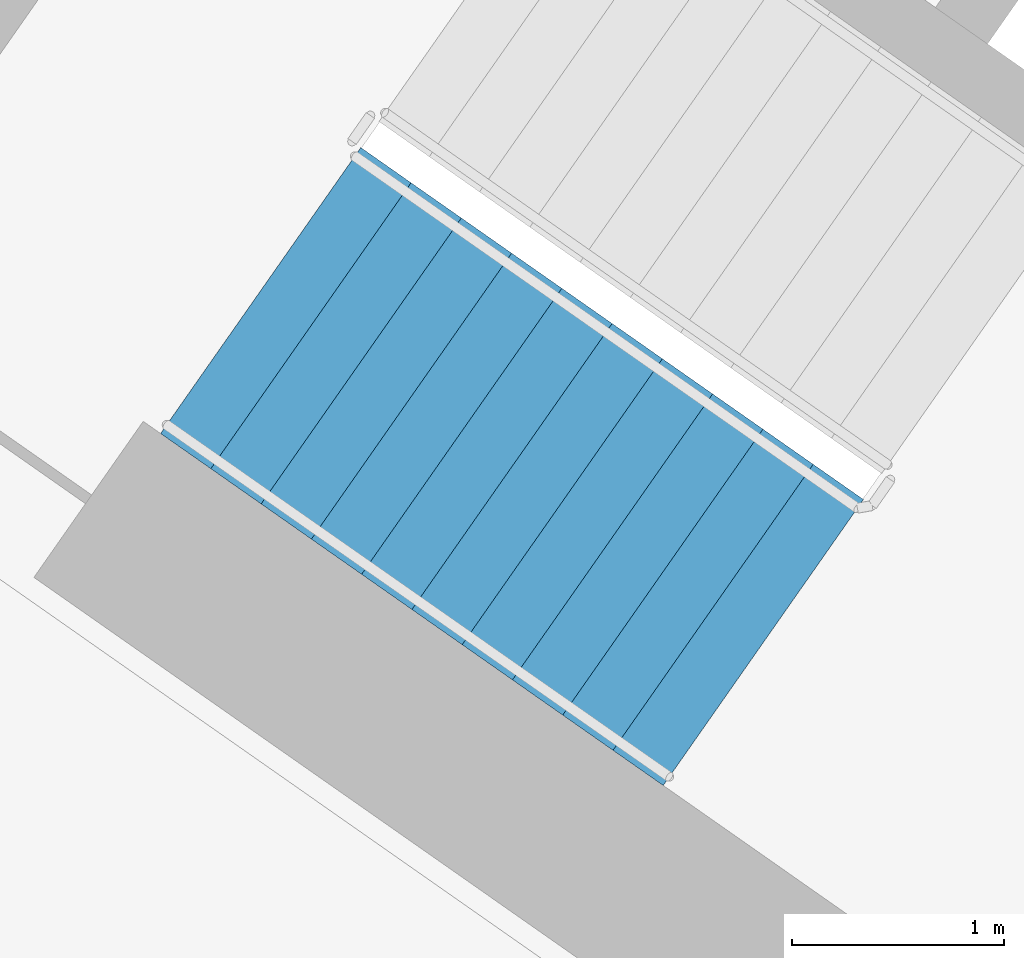
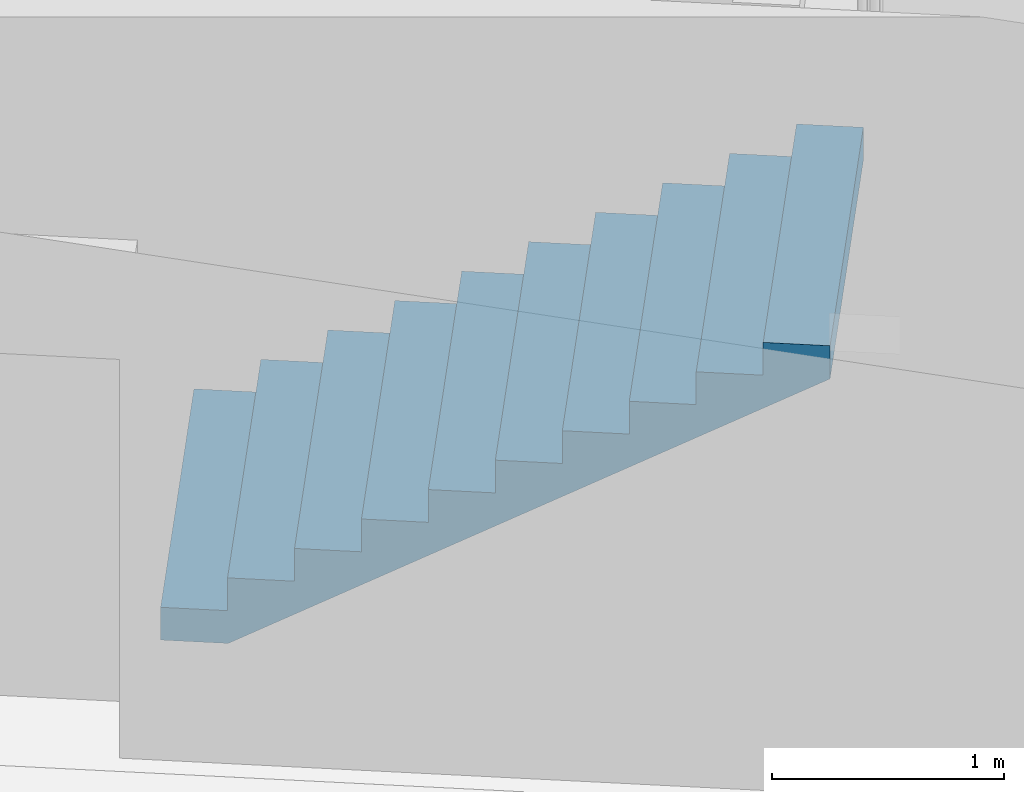
# One storey, part 10 of 30: 1 stair flight, 1 element without a shape of its own.
"""IFC4 building model written with IfcOpenShell, lengths in metres."""

from ifc_helpers import new_model, si_unit, direction, frame, origin, place, context, subcontext, project, spatial, faceted_brep, material, type_object, element, aggregate, save


model = new_model("IFC4")

# Units and contexts
model_context = context("Model", 3, precision=1e-05, world=origin(), true_north=direction((0.0, 1.0)))
body_context = subcontext(model_context, "Body", "Model", "MODEL_VIEW")
ifc_project = project(units=[si_unit("LENGTHUNIT", "METRE"), si_unit("AREAUNIT", "SQUARE_METRE"), si_unit("VOLUMEUNIT", "CUBIC_METRE"), si_unit("PLANEANGLEUNIT", "RADIAN"), si_unit("MASSUNIT", "GRAM", prefix="KILO")], contexts=[model_context])

# Site, building, storey
site_placement = place(None, origin())
site = spatial("IfcSite", under=ifc_project, at=site_placement, CompositionType="ELEMENT")
building_placement = place(site_placement, origin())
building = spatial("IfcBuilding", under=site, at=building_placement, Name="Qamariyya Broadcast Tower", CompositionType="ELEMENT")
storey_placement = place(building_placement, frame((0.0, 0.0, 102.5)))
storey = spatial("IfcBuildingStorey", under=building, at=storey_placement, Name="L22", CompositionType="ELEMENT", Elevation=102.5)

# Stair, stair flight
ifc_material = material(Name="Concrete C50/60", Category="concrete")
stair_type = type_object("IfcStairType", Name="Exit stair 22 risers of 173 mm", PredefinedType="HALF_TURN_STAIR", material=ifc_material)
stair_placement = place(storey_placement, origin())
stair = element("IfcStair", 1, at=stair_placement, inside=storey, type_object=stair_type, Name="L22 Stair W1", PredefinedType="HALF_TURN_STAIR")
stair_flight_type = type_object("IfcStairFlightType", Name="Exit stair flight 11 risers of 173 mm", PredefinedType="STRAIGHT", material=ifc_material)
stair_flight_placement = place(storey_placement, frame((-47.06884765625, -56.982666015625, 0.0), z_axis=(0.0, 0.0, 1.0), x_axis=(0.819152044289, -0.573576436351, 0.0)))
stair_flight = element("IfcStairFlight", 2, at=stair_flight_placement, type_object=stair_flight_type, Name="ST-W1 flight 1", NumberOfRisers=11, NumberOfTreads=10, PredefinedType="STRAIGHT", RiserHeight=0.172727273, TreadLength=0.29, context=body_context, shape_type="Brep", body=[
    faceted_brep([(0.0, 0.824951171875, 0.0), (0.0, 0.824951171875, 0.172607421875), (0.2900390625, 0.824951171875, 0.172607421875), (0.2900390625, 0.824951171875, 0.345458984375), (0.580078125, 0.824951171875, 0.345458984375), (0.580078125, 0.824951171875, 0.51806640625), (0.8701171875, 0.824951171875, 0.51806640625), (0.8701171875, 0.824951171875, 0.69091796875), (1.159912109375, 0.824951171875, 0.69091796875), (1.159912109375, 0.824951171875, 0.863525390625), (1.449951171875, 0.824951171875, 0.863525390625), (1.449951171875, 0.824951171875, 1.036376953125), (1.739990234375, 0.824951171875, 1.036376953125), (1.739990234375, 0.824951171875, 1.208984375), (2.030029296875, 0.824951171875, 1.208984375), (2.030029296875, 0.824951171875, 1.3818359375), (2.320068359375, 0.824951171875, 1.3818359375), (2.320068359375, 0.824951171875, 1.554443359375), (2.610107421875, 0.824951171875, 1.554443359375), (2.610107421875, 0.824951171875, 1.727294921875), (2.89990234375, 0.824951171875, 1.727294921875), (2.89990234375, 0.824951171875, 1.552734375), (0.29296875, 0.824951171875, 0.0), (0.29296875, -0.824951171875, 0.0), (2.89990234375, -0.824951171875, 1.552734375), (2.89990234375, -0.824951171875, 1.727294921875), (2.610107421875, -0.824951171875, 1.727294921875), (2.610107421875, -0.824951171875, 1.554443359375), (2.320068359375, -0.824951171875, 1.554443359375), (2.320068359375, -0.824951171875, 1.3818359375), (2.030029296875, -0.824951171875, 1.3818359375), (2.030029296875, -0.824951171875, 1.208984375), (1.739990234375, -0.824951171875, 1.208984375), (1.739990234375, -0.824951171875, 1.036376953125), (1.449951171875, -0.824951171875, 1.036376953125), (1.449951171875, -0.824951171875, 0.863525390625), (1.159912109375, -0.824951171875, 0.863525390625), (1.159912109375, -0.824951171875, 0.69091796875), (0.8701171875, -0.824951171875, 0.69091796875), (0.8701171875, -0.824951171875, 0.51806640625), (0.580078125, -0.824951171875, 0.51806640625), (0.580078125, -0.824951171875, 0.345458984375), (0.2900390625, -0.824951171875, 0.345458984375), (0.2900390625, -0.824951171875, 0.172607421875), (0.0, -0.824951171875, 0.172607421875), (0.0, -0.824951171875, 0.0), (0.0, 0.10009765625, 0.0), (0.0, 0.086669921875, 0.0), (0.0, 0.0732421875, 0.0), (0.0, 0.06005859375, 0.0), (0.0, 0.046630859375, 0.0), (0.0, 0.033447265625, 0.0), (0.0, 0.02001953125, 0.0), (0.0, 0.006591796875, 0.0), (0.0, -0.006591796875, 0.0), (0.0, -0.02001953125, 0.0), (0.0, -0.033447265625, 0.0), (0.0, -0.046630859375, 0.0), (0.0, -0.06005859375, 0.0), (0.0, -0.0732421875, 0.0), (0.0, -0.086669921875, 0.0), (0.0, -0.10009765625, 0.0), (0.0, -0.10009765625, 0.172607421875), (0.0, -0.086669921875, 0.172607421875), (0.0, -0.0732421875, 0.172607421875), (0.0, -0.06005859375, 0.172607421875), (0.0, -0.046630859375, 0.172607421875), (0.0, -0.033447265625, 0.172607421875), (0.0, -0.02001953125, 0.172607421875), (0.0, -0.006591796875, 0.172607421875), (0.0, 0.006591796875, 0.172607421875), (0.0, 0.02001953125, 0.172607421875), (0.0, 0.033447265625, 0.172607421875), (0.0, 0.046630859375, 0.172607421875), (0.0, 0.06005859375, 0.172607421875), (0.0, 0.0732421875, 0.172607421875), (0.0, 0.086669921875, 0.172607421875), (0.0, 0.10009765625, 0.172607421875), (0.2900390625, -0.10009765625, 0.172607421875), (0.2900390625, -0.086669921875, 0.172607421875), (0.2900390625, -0.0732421875, 0.172607421875), (0.2900390625, -0.06005859375, 0.172607421875), (0.2900390625, -0.046630859375, 0.172607421875), (0.2900390625, -0.033447265625, 0.172607421875), (0.2900390625, -0.02001953125, 0.172607421875), (0.2900390625, -0.006591796875, 0.172607421875), (0.2900390625, 0.006591796875, 0.172607421875), (0.2900390625, 0.02001953125, 0.172607421875), (0.2900390625, 0.033447265625, 0.172607421875), (0.2900390625, 0.046630859375, 0.172607421875), (0.2900390625, 0.06005859375, 0.172607421875), (0.2900390625, 0.0732421875, 0.172607421875), (0.2900390625, 0.086669921875, 0.172607421875), (0.2900390625, 0.10009765625, 0.172607421875), (0.2900390625, -0.10009765625, 0.345458984375), (0.2900390625, -0.086669921875, 0.345458984375), (0.2900390625, -0.0732421875, 0.345458984375), (0.2900390625, -0.06005859375, 0.345458984375), (0.2900390625, -0.046630859375, 0.345458984375), (0.2900390625, -0.033447265625, 0.345458984375), (0.2900390625, -0.02001953125, 0.345458984375), (0.2900390625, -0.006591796875, 0.345458984375), (0.2900390625, 0.006591796875, 0.345458984375), (0.2900390625, 0.02001953125, 0.345458984375), (0.2900390625, 0.033447265625, 0.345458984375), (0.2900390625, 0.046630859375, 0.345458984375), (0.2900390625, 0.06005859375, 0.345458984375), (0.2900390625, 0.0732421875, 0.345458984375), (0.2900390625, 0.086669921875, 0.345458984375), (0.2900390625, 0.10009765625, 0.345458984375), (0.580078125, -0.10009765625, 0.345458984375), (0.580078125, -0.086669921875, 0.345458984375), (0.580078125, -0.0732421875, 0.345458984375), (0.580078125, -0.06005859375, 0.345458984375), (0.580078125, -0.046630859375, 0.345458984375), (0.580078125, -0.033447265625, 0.345458984375), (0.580078125, -0.02001953125, 0.345458984375), (0.580078125, -0.006591796875, 0.345458984375), (0.580078125, 0.006591796875, 0.345458984375), (0.580078125, 0.02001953125, 0.345458984375), (0.580078125, 0.033447265625, 0.345458984375), (0.580078125, 0.046630859375, 0.345458984375), (0.580078125, 0.06005859375, 0.345458984375), (0.580078125, 0.0732421875, 0.345458984375), (0.580078125, 0.086669921875, 0.345458984375), (0.580078125, 0.10009765625, 0.345458984375), (0.580078125, -0.10009765625, 0.51806640625), (0.580078125, -0.086669921875, 0.51806640625), (0.580078125, -0.0732421875, 0.51806640625), (0.580078125, -0.06005859375, 0.51806640625), (0.580078125, -0.046630859375, 0.51806640625), (0.580078125, -0.033447265625, 0.51806640625), (0.580078125, -0.02001953125, 0.51806640625), (0.580078125, -0.006591796875, 0.51806640625), (0.580078125, 0.006591796875, 0.51806640625), (0.580078125, 0.02001953125, 0.51806640625), (0.580078125, 0.033447265625, 0.51806640625), (0.580078125, 0.046630859375, 0.51806640625), (0.580078125, 0.06005859375, 0.51806640625), (0.580078125, 0.0732421875, 0.51806640625), (0.580078125, 0.086669921875, 0.51806640625), (0.580078125, 0.10009765625, 0.51806640625), (0.8701171875, -0.10009765625, 0.51806640625), (0.8701171875, -0.086669921875, 0.51806640625), (0.8701171875, -0.0732421875, 0.51806640625), (0.8701171875, -0.06005859375, 0.51806640625), (0.8701171875, -0.046630859375, 0.51806640625), (0.8701171875, -0.033447265625, 0.51806640625), (0.8701171875, -0.02001953125, 0.51806640625), (0.8701171875, -0.006591796875, 0.51806640625), (0.8701171875, 0.006591796875, 0.51806640625), (0.8701171875, 0.02001953125, 0.51806640625), (0.8701171875, 0.033447265625, 0.51806640625), (0.8701171875, 0.046630859375, 0.51806640625), (0.8701171875, 0.06005859375, 0.51806640625), (0.8701171875, 0.0732421875, 0.51806640625), (0.8701171875, 0.086669921875, 0.51806640625), (0.8701171875, 0.10009765625, 0.51806640625), (0.8701171875, -0.10009765625, 0.69091796875), (0.8701171875, -0.086669921875, 0.69091796875), (0.8701171875, -0.0732421875, 0.69091796875), (0.8701171875, -0.06005859375, 0.69091796875), (0.8701171875, -0.046630859375, 0.69091796875), (0.8701171875, -0.033447265625, 0.69091796875), (0.8701171875, -0.02001953125, 0.69091796875), (0.8701171875, -0.006591796875, 0.69091796875), (0.8701171875, 0.006591796875, 0.69091796875), (0.8701171875, 0.02001953125, 0.69091796875), (0.8701171875, 0.033447265625, 0.69091796875), (0.8701171875, 0.046630859375, 0.69091796875), (0.8701171875, 0.06005859375, 0.69091796875), (0.8701171875, 0.0732421875, 0.69091796875), (0.8701171875, 0.086669921875, 0.69091796875), (0.8701171875, 0.10009765625, 0.69091796875), (1.159912109375, -0.10009765625, 0.69091796875), (1.159912109375, -0.086669921875, 0.69091796875), (1.159912109375, -0.0732421875, 0.69091796875), (1.159912109375, -0.06005859375, 0.69091796875), (1.159912109375, -0.046630859375, 0.69091796875), (1.159912109375, -0.033447265625, 0.69091796875), (1.159912109375, -0.02001953125, 0.69091796875), (1.159912109375, -0.006591796875, 0.69091796875), (1.159912109375, 0.006591796875, 0.69091796875), (1.159912109375, 0.02001953125, 0.69091796875), (1.159912109375, 0.033447265625, 0.69091796875), (1.159912109375, 0.046630859375, 0.69091796875), (1.159912109375, 0.06005859375, 0.69091796875), (1.159912109375, 0.0732421875, 0.69091796875), (1.159912109375, 0.086669921875, 0.69091796875), (1.159912109375, 0.10009765625, 0.69091796875), (1.159912109375, -0.10009765625, 0.863525390625), (1.159912109375, -0.086669921875, 0.863525390625), (1.159912109375, -0.0732421875, 0.863525390625), (1.159912109375, -0.06005859375, 0.863525390625), (1.159912109375, -0.046630859375, 0.863525390625), (1.159912109375, -0.033447265625, 0.863525390625), (1.159912109375, -0.02001953125, 0.863525390625), (1.159912109375, -0.006591796875, 0.863525390625), (1.159912109375, 0.006591796875, 0.863525390625), (1.159912109375, 0.02001953125, 0.863525390625), (1.159912109375, 0.033447265625, 0.863525390625), (1.159912109375, 0.046630859375, 0.863525390625), (1.159912109375, 0.06005859375, 0.863525390625), (1.159912109375, 0.0732421875, 0.863525390625), (1.159912109375, 0.086669921875, 0.863525390625), (1.159912109375, 0.10009765625, 0.863525390625), (1.449951171875, -0.10009765625, 0.863525390625), (1.449951171875, -0.086669921875, 0.863525390625), (1.449951171875, -0.0732421875, 0.863525390625), (1.449951171875, -0.06005859375, 0.863525390625), (1.449951171875, -0.046630859375, 0.863525390625), (1.449951171875, -0.033447265625, 0.863525390625), (1.449951171875, -0.02001953125, 0.863525390625), (1.449951171875, -0.006591796875, 0.863525390625), (1.449951171875, 0.006591796875, 0.863525390625), (1.449951171875, 0.02001953125, 0.863525390625), (1.449951171875, 0.033447265625, 0.863525390625), (1.449951171875, 0.046630859375, 0.863525390625), (1.449951171875, 0.06005859375, 0.863525390625), (1.449951171875, 0.0732421875, 0.863525390625), (1.449951171875, 0.086669921875, 0.863525390625), (1.449951171875, 0.10009765625, 0.863525390625), (1.449951171875, -0.10009765625, 1.036376953125), (1.449951171875, -0.086669921875, 1.036376953125), (1.449951171875, -0.0732421875, 1.036376953125), (1.449951171875, -0.06005859375, 1.036376953125), (1.449951171875, -0.046630859375, 1.036376953125), (1.449951171875, -0.033447265625, 1.036376953125), (1.449951171875, -0.02001953125, 1.036376953125), (1.449951171875, -0.006591796875, 1.036376953125), (1.449951171875, 0.006591796875, 1.036376953125), (1.449951171875, 0.02001953125, 1.036376953125), (1.449951171875, 0.033447265625, 1.036376953125), (1.449951171875, 0.046630859375, 1.036376953125), (1.449951171875, 0.06005859375, 1.036376953125), (1.449951171875, 0.0732421875, 1.036376953125), (1.449951171875, 0.086669921875, 1.036376953125), (1.449951171875, 0.10009765625, 1.036376953125), (1.739990234375, -0.10009765625, 1.036376953125), (1.739990234375, -0.086669921875, 1.036376953125), (1.739990234375, -0.0732421875, 1.036376953125), (1.739990234375, -0.06005859375, 1.036376953125), (1.739990234375, -0.046630859375, 1.036376953125), (1.739990234375, -0.033447265625, 1.036376953125), (1.739990234375, -0.02001953125, 1.036376953125), (1.739990234375, -0.006591796875, 1.036376953125), (1.739990234375, 0.006591796875, 1.036376953125), (1.739990234375, 0.02001953125, 1.036376953125), (1.739990234375, 0.033447265625, 1.036376953125), (1.739990234375, 0.046630859375, 1.036376953125), (1.739990234375, 0.06005859375, 1.036376953125), (1.739990234375, 0.0732421875, 1.036376953125), (1.739990234375, 0.086669921875, 1.036376953125), (1.739990234375, 0.10009765625, 1.036376953125), (1.739990234375, -0.10009765625, 1.208984375), (1.739990234375, -0.086669921875, 1.208984375), (1.739990234375, -0.0732421875, 1.208984375), (1.739990234375, -0.06005859375, 1.208984375), (1.739990234375, -0.046630859375, 1.208984375), (1.739990234375, -0.033447265625, 1.208984375), (1.739990234375, -0.02001953125, 1.208984375), (1.739990234375, -0.006591796875, 1.208984375), (1.739990234375, 0.006591796875, 1.208984375), (1.739990234375, 0.02001953125, 1.208984375), (1.739990234375, 0.033447265625, 1.208984375), (1.739990234375, 0.046630859375, 1.208984375), (1.739990234375, 0.06005859375, 1.208984375), (1.739990234375, 0.0732421875, 1.208984375), (1.739990234375, 0.086669921875, 1.208984375), (1.739990234375, 0.10009765625, 1.208984375), (2.030029296875, -0.10009765625, 1.208984375), (2.030029296875, -0.086669921875, 1.208984375), (2.030029296875, -0.0732421875, 1.208984375), (2.030029296875, -0.06005859375, 1.208984375), (2.030029296875, -0.046630859375, 1.208984375), (2.030029296875, -0.033447265625, 1.208984375), (2.030029296875, -0.02001953125, 1.208984375), (2.030029296875, -0.006591796875, 1.208984375), (2.030029296875, 0.006591796875, 1.208984375), (2.030029296875, 0.02001953125, 1.208984375), (2.030029296875, 0.033447265625, 1.208984375), (2.030029296875, 0.046630859375, 1.208984375), (2.030029296875, 0.06005859375, 1.208984375), (2.030029296875, 0.0732421875, 1.208984375), (2.030029296875, 0.086669921875, 1.208984375), (2.030029296875, 0.10009765625, 1.208984375), (2.030029296875, -0.10009765625, 1.3818359375), (2.030029296875, -0.086669921875, 1.3818359375), (2.030029296875, -0.0732421875, 1.3818359375), (2.030029296875, -0.06005859375, 1.3818359375), (2.030029296875, -0.046630859375, 1.3818359375), (2.030029296875, -0.033447265625, 1.3818359375), (2.030029296875, -0.02001953125, 1.3818359375), (2.030029296875, -0.006591796875, 1.3818359375), (2.030029296875, 0.006591796875, 1.3818359375), (2.030029296875, 0.02001953125, 1.3818359375), (2.030029296875, 0.033447265625, 1.3818359375), (2.030029296875, 0.046630859375, 1.3818359375), (2.030029296875, 0.06005859375, 1.3818359375), (2.030029296875, 0.0732421875, 1.3818359375), (2.030029296875, 0.086669921875, 1.3818359375), (2.030029296875, 0.10009765625, 1.3818359375), (2.320068359375, -0.10009765625, 1.3818359375), (2.320068359375, -0.086669921875, 1.3818359375), (2.320068359375, -0.0732421875, 1.3818359375), (2.320068359375, -0.06005859375, 1.3818359375), (2.320068359375, -0.046630859375, 1.3818359375), (2.320068359375, -0.033447265625, 1.3818359375), (2.320068359375, -0.02001953125, 1.3818359375), (2.320068359375, -0.006591796875, 1.3818359375), (2.320068359375, 0.006591796875, 1.3818359375), (2.320068359375, 0.02001953125, 1.3818359375), (2.320068359375, 0.033447265625, 1.3818359375), (2.320068359375, 0.046630859375, 1.3818359375), (2.320068359375, 0.06005859375, 1.3818359375), (2.320068359375, 0.0732421875, 1.3818359375), (2.320068359375, 0.086669921875, 1.3818359375), (2.320068359375, 0.10009765625, 1.3818359375), (2.320068359375, -0.10009765625, 1.554443359375), (2.320068359375, -0.086669921875, 1.554443359375), (2.320068359375, -0.0732421875, 1.554443359375), (2.320068359375, -0.06005859375, 1.554443359375), (2.320068359375, -0.046630859375, 1.554443359375), (2.320068359375, -0.033447265625, 1.554443359375), (2.320068359375, -0.02001953125, 1.554443359375), (2.320068359375, -0.006591796875, 1.554443359375), (2.320068359375, 0.006591796875, 1.554443359375), (2.320068359375, 0.02001953125, 1.554443359375), (2.320068359375, 0.033447265625, 1.554443359375), (2.320068359375, 0.046630859375, 1.554443359375), (2.320068359375, 0.06005859375, 1.554443359375), (2.320068359375, 0.0732421875, 1.554443359375), (2.320068359375, 0.086669921875, 1.554443359375), (2.320068359375, 0.10009765625, 1.554443359375), (2.610107421875, -0.10009765625, 1.554443359375), (2.610107421875, -0.086669921875, 1.554443359375), (2.610107421875, -0.0732421875, 1.554443359375), (2.610107421875, -0.06005859375, 1.554443359375), (2.610107421875, -0.046630859375, 1.554443359375), (2.610107421875, -0.033447265625, 1.554443359375), (2.610107421875, -0.02001953125, 1.554443359375), (2.610107421875, -0.006591796875, 1.554443359375), (2.610107421875, 0.006591796875, 1.554443359375), (2.610107421875, 0.02001953125, 1.554443359375), (2.610107421875, 0.033447265625, 1.554443359375), (2.610107421875, 0.046630859375, 1.554443359375), (2.610107421875, 0.06005859375, 1.554443359375), (2.610107421875, 0.0732421875, 1.554443359375), (2.610107421875, 0.086669921875, 1.554443359375), (2.610107421875, 0.10009765625, 1.554443359375), (2.610107421875, -0.10009765625, 1.727294921875), (2.610107421875, -0.086669921875, 1.727294921875), (2.610107421875, -0.0732421875, 1.727294921875), (2.610107421875, -0.06005859375, 1.727294921875), (2.610107421875, -0.046630859375, 1.727294921875), (2.610107421875, -0.033447265625, 1.727294921875), (2.610107421875, -0.02001953125, 1.727294921875), (2.610107421875, -0.006591796875, 1.727294921875), (2.610107421875, 0.006591796875, 1.727294921875), (2.610107421875, 0.02001953125, 1.727294921875), (2.610107421875, 0.033447265625, 1.727294921875), (2.610107421875, 0.046630859375, 1.727294921875), (2.610107421875, 0.06005859375, 1.727294921875), (2.610107421875, 0.0732421875, 1.727294921875), (2.610107421875, 0.086669921875, 1.727294921875), (2.610107421875, 0.10009765625, 1.727294921875), (2.89990234375, -0.10009765625, 1.727294921875), (2.89990234375, -0.086669921875, 1.727294921875), (2.89990234375, -0.0732421875, 1.727294921875), (2.89990234375, -0.06005859375, 1.727294921875), (2.89990234375, -0.046630859375, 1.727294921875), (2.89990234375, -0.033447265625, 1.727294921875), (2.89990234375, -0.02001953125, 1.727294921875), (2.89990234375, -0.006591796875, 1.727294921875), (2.89990234375, 0.006591796875, 1.727294921875), (2.89990234375, 0.02001953125, 1.727294921875), (2.89990234375, 0.033447265625, 1.727294921875), (2.89990234375, 0.046630859375, 1.727294921875), (2.89990234375, 0.06005859375, 1.727294921875), (2.89990234375, 0.0732421875, 1.727294921875), (2.89990234375, 0.086669921875, 1.727294921875), (2.89990234375, 0.10009765625, 1.727294921875), (2.89990234375, -0.10009765625, 1.552734375), (2.89990234375, -0.086669921875, 1.552734375), (2.89990234375, -0.0732421875, 1.552734375), (2.89990234375, -0.06005859375, 1.552734375), (2.89990234375, -0.046630859375, 1.552734375), (2.89990234375, -0.033447265625, 1.552734375), (2.89990234375, -0.02001953125, 1.552734375), (2.89990234375, -0.006591796875, 1.552734375), (2.89990234375, 0.006591796875, 1.552734375), (2.89990234375, 0.02001953125, 1.552734375), (2.89990234375, 0.033447265625, 1.552734375), (2.89990234375, 0.046630859375, 1.552734375), (2.89990234375, 0.06005859375, 1.552734375), (2.89990234375, 0.0732421875, 1.552734375), (2.89990234375, 0.086669921875, 1.552734375), (2.89990234375, 0.10009765625, 1.552734375), (0.29296875, -0.10009765625, 0.0), (0.29296875, -0.086669921875, 0.0), (0.29296875, -0.0732421875, 0.0), (0.29296875, -0.06005859375, 0.0), (0.29296875, -0.046630859375, 0.0), (0.29296875, -0.033447265625, 0.0), (0.29296875, -0.02001953125, 0.0), (0.29296875, -0.006591796875, 0.0), (0.29296875, 0.006591796875, 0.0), (0.29296875, 0.02001953125, 0.0), (0.29296875, 0.033447265625, 0.0), (0.29296875, 0.046630859375, 0.0), (0.29296875, 0.06005859375, 0.0), (0.29296875, 0.0732421875, 0.0), (0.29296875, 0.086669921875, 0.0), (0.29296875, 0.10009765625, 0.0)], [[[0, 1, 2, 3, 4, 5, 6, 7, 8, 9, 10, 11, 12, 13, 14, 15, 16, 17, 18, 19, 20, 21, 22]], [[23, 24, 25, 26, 27, 28, 29, 30, 31, 32, 33, 34, 35, 36, 37, 38, 39, 40, 41, 42, 43, 44, 45]], [[0, 46, 47, 48, 49, 50, 51, 52, 53, 54, 55, 56, 57, 58, 59, 60, 61, 45, 44, 62, 63, 64, 65, 66, 67, 68, 69, 70, 71, 72, 73, 74, 75, 76, 77, 1]], [[1, 77, 76, 75, 74, 73, 72, 71, 70, 69, 68, 67, 66, 65, 64, 63, 62, 44, 43, 78, 79, 80, 81, 82, 83, 84, 85, 86, 87, 88, 89, 90, 91, 92, 93, 2]], [[2, 93, 92, 91, 90, 89, 88, 87, 86, 85, 84, 83, 82, 81, 80, 79, 78, 43, 42, 94, 95, 96, 97, 98, 99, 100, 101, 102, 103, 104, 105, 106, 107, 108, 109, 3]], [[3, 109, 108, 107, 106, 105, 104, 103, 102, 101, 100, 99, 98, 97, 96, 95, 94, 42, 41, 110, 111, 112, 113, 114, 115, 116, 117, 118, 119, 120, 121, 122, 123, 124, 125, 4]], [[4, 125, 124, 123, 122, 121, 120, 119, 118, 117, 116, 115, 114, 113, 112, 111, 110, 41, 40, 126, 127, 128, 129, 130, 131, 132, 133, 134, 135, 136, 137, 138, 139, 140, 141, 5]], [[5, 141, 140, 139, 138, 137, 136, 135, 134, 133, 132, 131, 130, 129, 128, 127, 126, 40, 39, 142, 143, 144, 145, 146, 147, 148, 149, 150, 151, 152, 153, 154, 155, 156, 157, 6]], [[6, 157, 156, 155, 154, 153, 152, 151, 150, 149, 148, 147, 146, 145, 144, 143, 142, 39, 38, 158, 159, 160, 161, 162, 163, 164, 165, 166, 167, 168, 169, 170, 171, 172, 173, 7]], [[7, 173, 172, 171, 170, 169, 168, 167, 166, 165, 164, 163, 162, 161, 160, 159, 158, 38, 37, 174, 175, 176, 177, 178, 179, 180, 181, 182, 183, 184, 185, 186, 187, 188, 189, 8]], [[8, 189, 188, 187, 186, 185, 184, 183, 182, 181, 180, 179, 178, 177, 176, 175, 174, 37, 36, 190, 191, 192, 193, 194, 195, 196, 197, 198, 199, 200, 201, 202, 203, 204, 205, 9]], [[9, 205, 204, 203, 202, 201, 200, 199, 198, 197, 196, 195, 194, 193, 192, 191, 190, 36, 35, 206, 207, 208, 209, 210, 211, 212, 213, 214, 215, 216, 217, 218, 219, 220, 221, 10]], [[10, 221, 220, 219, 218, 217, 216, 215, 214, 213, 212, 211, 210, 209, 208, 207, 206, 35, 34, 222, 223, 224, 225, 226, 227, 228, 229, 230, 231, 232, 233, 234, 235, 236, 237, 11]], [[11, 237, 236, 235, 234, 233, 232, 231, 230, 229, 228, 227, 226, 225, 224, 223, 222, 34, 33, 238, 239, 240, 241, 242, 243, 244, 245, 246, 247, 248, 249, 250, 251, 252, 253, 12]], [[12, 253, 252, 251, 250, 249, 248, 247, 246, 245, 244, 243, 242, 241, 240, 239, 238, 33, 32, 254, 255, 256, 257, 258, 259, 260, 261, 262, 263, 264, 265, 266, 267, 268, 269, 13]], [[13, 269, 268, 267, 266, 265, 264, 263, 262, 261, 260, 259, 258, 257, 256, 255, 254, 32, 31, 270, 271, 272, 273, 274, 275, 276, 277, 278, 279, 280, 281, 282, 283, 284, 285, 14]], [[14, 285, 284, 283, 282, 281, 280, 279, 278, 277, 276, 275, 274, 273, 272, 271, 270, 31, 30, 286, 287, 288, 289, 290, 291, 292, 293, 294, 295, 296, 297, 298, 299, 300, 301, 15]], [[15, 301, 300, 299, 298, 297, 296, 295, 294, 293, 292, 291, 290, 289, 288, 287, 286, 30, 29, 302, 303, 304, 305, 306, 307, 308, 309, 310, 311, 312, 313, 314, 315, 316, 317, 16]], [[16, 317, 316, 315, 314, 313, 312, 311, 310, 309, 308, 307, 306, 305, 304, 303, 302, 29, 28, 318, 319, 320, 321, 322, 323, 324, 325, 326, 327, 328, 329, 330, 331, 332, 333, 17]], [[17, 333, 332, 331, 330, 329, 328, 327, 326, 325, 324, 323, 322, 321, 320, 319, 318, 28, 27, 334, 335, 336, 337, 338, 339, 340, 341, 342, 343, 344, 345, 346, 347, 348, 349, 18]], [[18, 349, 348, 347, 346, 345, 344, 343, 342, 341, 340, 339, 338, 337, 336, 335, 334, 27, 26, 350, 351, 352, 353, 354, 355, 356, 357, 358, 359, 360, 361, 362, 363, 364, 365, 19]], [[19, 365, 364, 363, 362, 361, 360, 359, 358, 357, 356, 355, 354, 353, 352, 351, 350, 26, 25, 366, 367, 368, 369, 370, 371, 372, 373, 374, 375, 376, 377, 378, 379, 380, 381, 20]], [[20, 381, 380, 379, 378, 377, 376, 375, 374, 373, 372, 371, 370, 369, 368, 367, 366, 25, 24, 382, 383, 384, 385, 386, 387, 388, 389, 390, 391, 392, 393, 394, 395, 396, 397, 21]], [[21, 397, 396, 395, 394, 393, 392, 391, 390, 389, 388, 387, 386, 385, 384, 383, 382, 24, 23, 398, 399, 400, 401, 402, 403, 404, 405, 406, 407, 408, 409, 410, 411, 412, 413, 22]], [[22, 413, 412, 411, 410, 409, 408, 407, 406, 405, 404, 403, 402, 401, 400, 399, 398, 23, 45, 61, 60, 59, 58, 57, 56, 55, 54, 53, 52, 51, 50, 49, 48, 47, 46, 0]]]),
])
aggregate(stair, [stair_flight])

save(model, "model.ifc")
